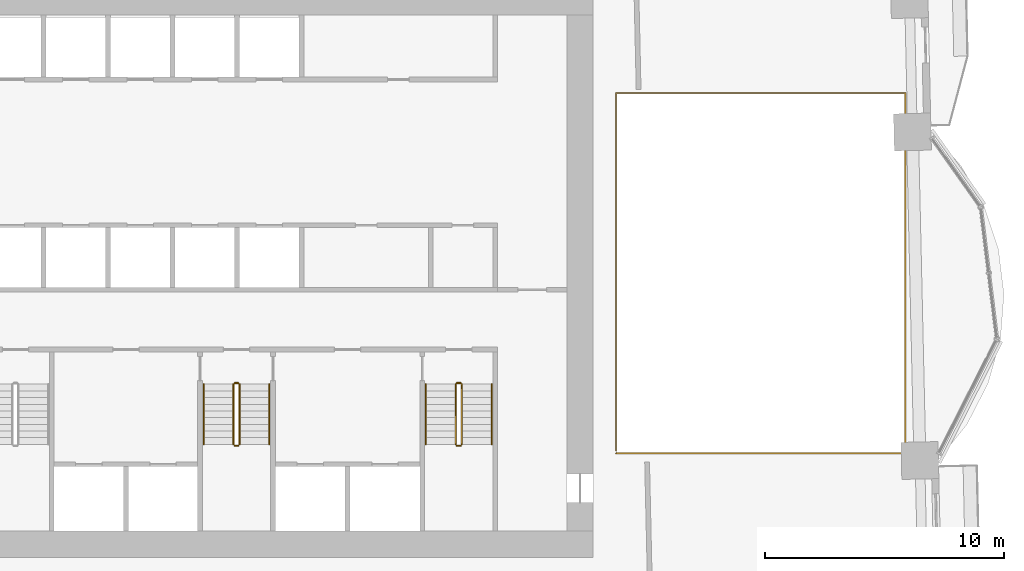
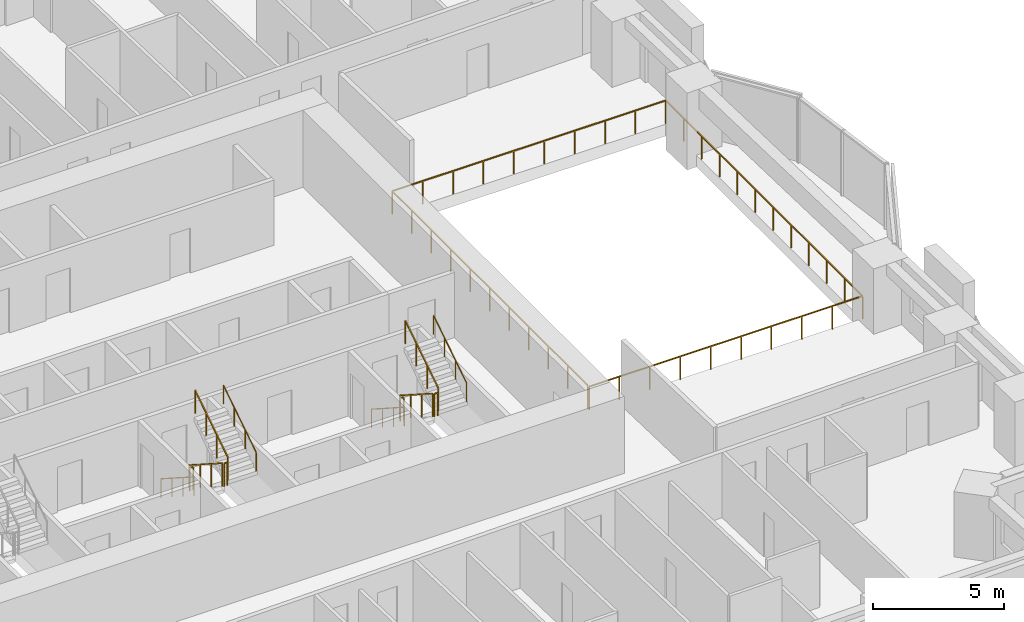
# One storey, part 15 of 16: 13 railings.
"""IFC4 building model written with IfcOpenShell, lengths in metres."""

import ifcopenshell
import ifcopenshell.guid

model = None  # the IFC model being written
_history = None  # IfcOwnerHistory: only IFC2X3 demands one
_inside = {}  # id of a spatial element -> (the spatial element, [elements in it])
_under = {}  # id of a project, library or spatial element -> (it, [spatial elements below it])
_declared = {}  # id of a project -> (the project, [libraries it declares])
_typed = {}  # id of a type object -> (the type object, [elements of that type])
_made_of = {}  # id of a material, layer set ... -> (it, [elements and type objects made of it])


def new_model(schema):
    """Start an empty IFC model of exactly this schema.

    Asked for "IFC4X3", IfcOpenShell would pick the latest addendum, in which some entities
    have other attributes; the version numbers below select the first issue.
    IFC2X3 requires an IfcOwnerHistory on every rooted entity: one is made here for all.
    """
    global model, _history
    if schema == "IFC4X3":
        model = ifcopenshell.file(schema_version=(4, 3, 0, 0))
    else:
        model = ifcopenshell.file(schema=schema)
    _inside.clear()
    _under.clear()
    _declared.clear()
    _typed.clear()
    _made_of.clear()
    _history = None
    if model.schema == "IFC2X3":
        org = make("IfcOrganization", Name="unknown")
        user = make(
            "IfcPersonAndOrganization",
            ThePerson=make("IfcPerson", FamilyName="unknown"),
            TheOrganization=org,
        )
        app = make(
            "IfcApplication",
            ApplicationDeveloper=org,
            Version="unknown",
            ApplicationFullName="unknown",
            ApplicationIdentifier="unknown",
        )
        _history = make(
            "IfcOwnerHistory",
            OwningUser=user,
            OwningApplication=app,
            ChangeAction="ADDED",
            CreationDate=0,
        )
    return model


def make(cls, **values):
    """One entity of the class cls with the attributes given. An attribute that is None is left unset."""
    return model.create_entity(
        cls, **{name: value for name, value in values.items() if value is not None}
    )


def rooted(cls, **values):
    """An entity with a GlobalId (a new one), such as an element, a storey or a relation."""
    return make(cls, GlobalId=ifcopenshell.guid.new(), OwnerHistory=_history, **values)


def si_unit(unit_type, name, prefix=None):
    """IfcSIUnit, for example si_unit("LENGTHUNIT", "METRE", prefix="MILLI")."""
    return make("IfcSIUnit", UnitType=unit_type, Prefix=prefix, Name=name)


def assignment(units):
    """IfcUnitAssignment: the units of a project."""
    return None if units is None else make("IfcUnitAssignment", Units=units)


def point(xyz):
    """IfcCartesianPoint."""
    return None if xyz is None else make("IfcCartesianPoint", Coordinates=xyz)


def direction(xyz):
    """IfcDirection."""
    return None if xyz is None else make("IfcDirection", DirectionRatios=xyz)


def frame(location, z_axis=None, x_axis=None):
    """IfcAxis2Placement3D, a coordinate frame: its origin and axes. An axis left out is left unset."""
    return make(
        "IfcAxis2Placement3D",
        Location=point(location),
        Axis=direction(z_axis),
        RefDirection=direction(x_axis),
    )


def frame_2d(location, x_axis=None):
    """IfcAxis2Placement2D, a coordinate frame in the plane: its origin and x axis."""
    return make(
        "IfcAxis2Placement2D", Location=point(location), RefDirection=direction(x_axis)
    )


def origin():
    """The frame at (0, 0, 0) with its axes left unset."""
    return frame((0.0, 0.0, 0.0))


def origin_2d():
    """The frame at (0, 0) in the plane with its x axis left unset."""
    return frame_2d((0.0, 0.0))


def place(relative_to, where):
    """IfcLocalPlacement: puts the frame where relative to a parent placement (None: the world)."""
    return make(
        "IfcLocalPlacement", PlacementRelTo=relative_to, RelativePlacement=where
    )


def context(
    kind, dimensions, precision=None, world=None, true_north=None, identifier=None
):
    """IfcGeometricRepresentationContext, for example the 3D "Model" context."""
    return make(
        "IfcGeometricRepresentationContext",
        ContextIdentifier=identifier,
        ContextType=kind,
        CoordinateSpaceDimension=dimensions,
        Precision=precision,
        WorldCoordinateSystem=world,
        TrueNorth=true_north,
    )


def subcontext(parent, identifier, kind, view, scale=None):
    """IfcGeometricRepresentationSubContext, for example "Body" below "Model"."""
    return make(
        "IfcGeometricRepresentationSubContext",
        ContextIdentifier=identifier,
        ContextType=kind,
        ParentContext=parent,
        TargetScale=scale,
        TargetView=view,
    )


def project(units=None, contexts=None):
    """IfcProject with its units and contexts."""
    return rooted(
        "IfcProject",
        Name="project",
        RepresentationContexts=contexts,
        UnitsInContext=assignment(units),
    )


def spatial(cls, under=None, at=None, **own):
    """A site, building, storey or space (cls), placed at a placement, below another one or the project."""
    s = rooted(cls, ObjectPlacement=at, **own)
    if under is not None:
        _under.setdefault(under.id(), (under, []))[1].append(s)
    return s


def profile(cls, at=None, kind="AREA", **sizes):
    """A parametric profile (cls). Its sizes go by their IFC names, for example OverallWidth=200.0."""
    return make(cls, ProfileType=kind, Position=at, **sizes)


def rectangle(**sizes):
    """IfcRectangleProfileDef."""
    return profile("IfcRectangleProfileDef", **sizes)


def circle(**sizes):
    """IfcCircleProfileDef."""
    return profile("IfcCircleProfileDef", **sizes)


def extrude(swept, where, along, depth):
    """IfcExtrudedAreaSolid: the profile swept, set in the frame where, extruded along a direction by depth."""
    return make(
        "IfcExtrudedAreaSolid",
        SweptArea=swept,
        Position=where,
        ExtrudedDirection=direction(along),
        Depth=depth,
    )


def shape(context_of_items, identifier, shape_type, items):
    """IfcShapeRepresentation: the items that make up one representation, for example the "Body"."""
    return make(
        "IfcShapeRepresentation",
        ContextOfItems=context_of_items,
        RepresentationIdentifier=identifier,
        RepresentationType=shape_type,
        Items=items,
    )


def material(Name=None, Category=None):
    """IfcMaterial."""
    return make("IfcMaterial", Name=Name, Category=Category)


def made_of(thing, what):
    """Note that an element or type object is made of a material, layer set ...; save() writes the relation."""
    if what is not None:
        _made_of.setdefault(what.id(), (what, []))[1].append(thing)
    return thing


def type_object(cls, material=None, **own):
    """A type object (cls), such as IfcWallType, which elements share."""
    return made_of(rooted(cls, **own), material)


def element(
    cls,
    number,
    at=None,
    inside=None,
    cuts=None,
    type_object=None,
    material=None,
    context=None,
    identifier="Body",
    shape_type=None,
    held_by="IfcProductDefinitionShape",
    body=None,
    shapes=None,
    **own,
):
    """One element of the class cls, such as IfcWall. Its Tag is "e" and its number.

    at: its placement. inside: the storey or other place that contains it. cuts: it is an
    opening in that element (IfcRelVoidsElement). A single representation is given by context,
    identifier, shape_type and body (its items); several are given by shapes. held_by: the class
    of the entity that holds the representations. save() writes the other relations.
    """
    e = rooted(cls, Tag="e%d" % number, ObjectPlacement=at, **own)
    if body is not None:
        shapes = [shape(context, identifier, shape_type, body)]
    if shapes is not None:
        e.Representation = make(held_by, Representations=shapes)
    if inside is not None:
        _inside.setdefault(inside.id(), (inside, []))[1].append(e)
    if cuts is not None:
        rooted(
            "IfcRelVoidsElement", RelatingBuildingElement=cuts, RelatedOpeningElement=e
        )
    if type_object is not None:
        _typed.setdefault(type_object.id(), (type_object, []))[1].append(e)
    return made_of(e, material)


def aggregate(whole, parts):
    """IfcRelAggregates: a whole, such as a stair, and the parts it consists of."""
    return rooted("IfcRelAggregates", RelatingObject=whole, RelatedObjects=parts)


def save(model, path):
    """Write the relations noted so far, then the file.

    IfcRelAggregates (storeys below a building ...), IfcRelContainedInSpatialStructure (elements
    in a storey), IfcRelDefinesByType, IfcRelAssociatesMaterial and IfcRelDeclares: one each for
    every whole, place, type object, material and project.
    """
    for whole, parts in _under.values():
        aggregate(whole, parts)
    for where, things in _inside.values():
        rooted(
            "IfcRelContainedInSpatialStructure",
            RelatedElements=things,
            RelatingStructure=where,
        )
    for kind, things in _typed.values():
        rooted("IfcRelDefinesByType", RelatedObjects=things, RelatingType=kind)
    for what, things in _made_of.values():
        rooted("IfcRelAssociatesMaterial", RelatedObjects=things, RelatingMaterial=what)
    for by, libraries in _declared.values():
        rooted("IfcRelDeclares", RelatingContext=by, RelatedDefinitions=libraries)
    model.write(path)


model = new_model("IFC4")

# Units and contexts
model_context = context("Model", 3, precision=1e-05, world=origin(), true_north=direction((0.0, 1.0)))
body_context = subcontext(model_context, "Body", "Model", "MODEL_VIEW")
ifc_project = project(units=[si_unit("LENGTHUNIT", "METRE"), si_unit("AREAUNIT", "SQUARE_METRE"), si_unit("VOLUMEUNIT", "CUBIC_METRE"), si_unit("PLANEANGLEUNIT", "RADIAN"), si_unit("MASSUNIT", "GRAM", prefix="KILO")], contexts=[model_context])

# Site, building, storey
site_placement = place(None, origin())
site = spatial("IfcSite", under=ifc_project, at=site_placement, CompositionType="ELEMENT")
building_placement = place(site_placement, origin())
building = spatial("IfcBuilding", under=site, at=building_placement, Name="Mangrove Gate Tower", CompositionType="ELEMENT")
storey_placement = place(building_placement, frame((0.0, 0.0, 37.699951171875)))
storey = spatial("IfcBuildingStorey", under=building, at=storey_placement, Name="L08", CompositionType="ELEMENT", Elevation=37.699951171875)

# Railings
ifc_material_1 = material(Name="Stainless steel grade 316 with laminated glass infill", Category="steel")
railing_type_1 = type_object("IfcRailingType", Name="Balcony guard 1100", PredefinedType="GUARDRAIL", material=ifc_material_1)
railing_1_placement = place(storey_placement, frame((15.860107421875, -7.5400390625, 0.0)))
element("IfcRailing", 1, at=railing_1_placement, inside=storey, type_object=railing_type_1, Name="GUARD L08 atrium", PredefinedType="GUARDRAIL", context=body_context, shape_type="SweptSolid", body=[
    extrude(rectangle(XDim=0.048095703125, YDim=0.048095703125, at=origin_2d()), frame((0.0, 0.0, 1.076171875), z_axis=(1.0, 0.0, 0.0), x_axis=(0.0, 1.0, 0.0)), (0.0, 0.0, 1.0), 12.101806640625),
    extrude(rectangle(XDim=0.048095703125, YDim=0.048095703125, at=origin_2d()), frame((12.101806640625, 0.0, 1.076171875), z_axis=(0.0, 1.0, 0.0), x_axis=(-1.0, 0.0, 0.0)), (0.0, 0.0, 1.0), 15.080078125),
    extrude(rectangle(XDim=0.048095703125, YDim=0.048095703125, at=origin_2d()), frame((12.101806640625, 15.080078125, 1.076171875), z_axis=(-1.0, 0.0, 0.0), x_axis=(0.0, -1.0, 0.0)), (0.0, 0.0, 1.0), 12.101806640625),
    extrude(rectangle(XDim=0.048095703125, YDim=0.048095703125, at=origin_2d()), frame((0.0, 15.080078125, 1.076171875), z_axis=(0.0, -1.0, 0.0), x_axis=(1.0, 0.0, 0.0)), (0.0, 0.0, 1.0), 14.9599609375),
    extrude(rectangle(XDim=0.0419921875, YDim=0.0419921875, at=origin_2d()), origin(), (0.0, 0.0, 1.0), 1.052001953125),
    extrude(rectangle(XDim=0.0419921875, YDim=0.0419921875, at=origin_2d()), frame((1.3447265625, 0.0, 0.0)), (0.0, 0.0, 1.0), 1.052001953125),
    extrude(rectangle(XDim=0.0419921875, YDim=0.0419921875, at=origin_2d()), frame((2.689208984375, 0.0, 0.0)), (0.0, 0.0, 1.0), 1.052001953125),
    extrude(rectangle(XDim=0.0419921875, YDim=0.0419921875, at=origin_2d()), frame((4.033935546875, 0.0, 0.0)), (0.0, 0.0, 1.0), 1.052001953125),
    extrude(rectangle(XDim=0.0419921875, YDim=0.0419921875, at=origin_2d()), frame((5.378662109375, 0.0, 0.0)), (0.0, 0.0, 1.0), 1.052001953125),
    extrude(rectangle(XDim=0.0419921875, YDim=0.0419921875, at=origin_2d()), frame((6.72314453125, 0.0, 0.0)), (0.0, 0.0, 1.0), 1.052001953125),
    extrude(rectangle(XDim=0.0419921875, YDim=0.0419921875, at=origin_2d()), frame((8.06787109375, 0.0, 0.0)), (0.0, 0.0, 1.0), 1.052001953125),
    extrude(rectangle(XDim=0.0419921875, YDim=0.0419921875, at=origin_2d()), frame((9.41259765625, 0.0, 0.0)), (0.0, 0.0, 1.0), 1.052001953125),
    extrude(rectangle(XDim=0.0419921875, YDim=0.0419921875, at=origin_2d()), frame((10.757080078125, 0.0, 0.0)), (0.0, 0.0, 1.0), 1.052001953125),
    extrude(rectangle(XDim=0.0419921875, YDim=0.0419921875, at=origin_2d()), frame((12.101806640625, 0.0, 0.0)), (0.0, 0.0, 1.0), 1.052001953125),
    extrude(rectangle(XDim=0.0419921875, YDim=0.0419921875, at=origin_2d()), frame((12.101806640625, 1.370849609375, 0.0)), (0.0, 0.0, 1.0), 1.052001953125),
    extrude(rectangle(XDim=0.0419921875, YDim=0.0419921875, at=origin_2d()), frame((12.101806640625, 2.741943359375, 0.0)), (0.0, 0.0, 1.0), 1.052001953125),
    extrude(rectangle(XDim=0.0419921875, YDim=0.0419921875, at=origin_2d()), frame((12.101806640625, 4.11279296875, 0.0)), (0.0, 0.0, 1.0), 1.052001953125),
    extrude(rectangle(XDim=0.0419921875, YDim=0.0419921875, at=origin_2d()), frame((12.101806640625, 5.483642578125, 0.0)), (0.0, 0.0, 1.0), 1.052001953125),
    extrude(rectangle(XDim=0.0419921875, YDim=0.0419921875, at=origin_2d()), frame((12.101806640625, 6.8544921875, 0.0)), (0.0, 0.0, 1.0), 1.052001953125),
    extrude(rectangle(XDim=0.0419921875, YDim=0.0419921875, at=origin_2d()), frame((12.101806640625, 8.2255859375, 0.0)), (0.0, 0.0, 1.0), 1.052001953125),
    extrude(rectangle(XDim=0.0419921875, YDim=0.0419921875, at=origin_2d()), frame((12.101806640625, 9.596435546875, 0.0)), (0.0, 0.0, 1.0), 1.052001953125),
    extrude(rectangle(XDim=0.0419921875, YDim=0.0419921875, at=origin_2d()), frame((12.101806640625, 10.96728515625, 0.0)), (0.0, 0.0, 1.0), 1.052001953125),
    extrude(rectangle(XDim=0.0419921875, YDim=0.0419921875, at=origin_2d()), frame((12.101806640625, 12.338134765625, 0.0)), (0.0, 0.0, 1.0), 1.052001953125),
    extrude(rectangle(XDim=0.0419921875, YDim=0.0419921875, at=origin_2d()), frame((12.101806640625, 13.709228515625, 0.0)), (0.0, 0.0, 1.0), 1.052001953125),
    extrude(rectangle(XDim=0.0419921875, YDim=0.0419921875, at=origin_2d()), frame((12.101806640625, 15.080078125, 0.0)), (0.0, 0.0, 1.0), 1.052001953125),
    extrude(rectangle(XDim=0.0419921875, YDim=0.0419921875, at=origin_2d()), frame((10.757080078125, 15.080078125, 0.0)), (0.0, 0.0, 1.0), 1.052001953125),
    extrude(rectangle(XDim=0.0419921875, YDim=0.0419921875, at=origin_2d()), frame((9.41259765625, 15.080078125, 0.0)), (0.0, 0.0, 1.0), 1.052001953125),
    extrude(rectangle(XDim=0.0419921875, YDim=0.0419921875, at=origin_2d()), frame((8.06787109375, 15.080078125, 0.0)), (0.0, 0.0, 1.0), 1.052001953125),
    extrude(rectangle(XDim=0.0419921875, YDim=0.0419921875, at=origin_2d()), frame((6.72314453125, 15.080078125, 0.0)), (0.0, 0.0, 1.0), 1.052001953125),
    extrude(rectangle(XDim=0.0419921875, YDim=0.0419921875, at=origin_2d()), frame((5.378662109375, 15.080078125, 0.0)), (0.0, 0.0, 1.0), 1.052001953125),
    extrude(rectangle(XDim=0.0419921875, YDim=0.0419921875, at=origin_2d()), frame((4.033935546875, 15.080078125, 0.0)), (0.0, 0.0, 1.0), 1.052001953125),
    extrude(rectangle(XDim=0.0419921875, YDim=0.0419921875, at=origin_2d()), frame((2.689208984375, 15.080078125, 0.0)), (0.0, 0.0, 1.0), 1.052001953125),
    extrude(rectangle(XDim=0.0419921875, YDim=0.0419921875, at=origin_2d()), frame((1.3447265625, 15.080078125, 0.0)), (0.0, 0.0, 1.0), 1.052001953125),
    extrude(rectangle(XDim=0.0419921875, YDim=0.0419921875, at=origin_2d()), frame((0.0, 15.080078125, 0.0)), (0.0, 0.0, 1.0), 1.052001953125),
    extrude(rectangle(XDim=0.0419921875, YDim=0.0419921875, at=origin_2d()), frame((0.0, 13.583984375, 0.0)), (0.0, 0.0, 1.0), 1.052001953125),
    extrude(rectangle(XDim=0.0419921875, YDim=0.0419921875, at=origin_2d()), frame((0.0, 12.088134765625, 0.0)), (0.0, 0.0, 1.0), 1.052001953125),
    extrude(rectangle(XDim=0.0419921875, YDim=0.0419921875, at=origin_2d()), frame((0.0, 10.592041015625, 0.0)), (0.0, 0.0, 1.0), 1.052001953125),
    extrude(rectangle(XDim=0.0419921875, YDim=0.0419921875, at=origin_2d()), frame((0.0, 9.09619140625, 0.0)), (0.0, 0.0, 1.0), 1.052001953125),
    extrude(rectangle(XDim=0.0419921875, YDim=0.0419921875, at=origin_2d()), frame((0.0, 7.60009765625, 0.0)), (0.0, 0.0, 1.0), 1.052001953125),
    extrude(rectangle(XDim=0.0419921875, YDim=0.0419921875, at=origin_2d()), frame((0.0, 6.10400390625, 0.0)), (0.0, 0.0, 1.0), 1.052001953125),
    extrude(rectangle(XDim=0.0419921875, YDim=0.0419921875, at=origin_2d()), frame((0.0, 4.608154296875, 0.0)), (0.0, 0.0, 1.0), 1.052001953125),
    extrude(rectangle(XDim=0.0419921875, YDim=0.0419921875, at=origin_2d()), frame((0.0, 3.112060546875, 0.0)), (0.0, 0.0, 1.0), 1.052001953125),
    extrude(rectangle(XDim=0.0419921875, YDim=0.0419921875, at=origin_2d()), frame((0.0, 1.6162109375, 0.0)), (0.0, 0.0, 1.0), 1.052001953125),
    extrude(rectangle(XDim=0.0419921875, YDim=0.0419921875, at=origin_2d()), frame((0.0, 0.1201171875, 0.0)), (0.0, 0.0, 1.0), 1.052001953125),
])
ifc_material_2 = material(Name="Stainless steel 316", Category="steel")
railing_type_2 = type_object("IfcRailingType", Name="Core stair guard 1100", PredefinedType="GUARDRAIL", material=ifc_material_2)
railing_2_placement = place(storey_placement, frame((-0.14990234375, -4.64990234375, 0.179931640625)))
element("IfcRailing", 2, at=railing_2_placement, inside=storey, type_object=railing_type_2, Name="L08 ST2 stair guard 1", PredefinedType="GUARDRAIL", context=body_context, shape_type="SweptSolid", body=[
    extrude(rectangle(XDim=0.048095703125, YDim=0.048095703125, at=origin_2d()), frame((0.0, 0.0, 1.076171875), z_axis=(0.0, -0.841162588446, 0.540782303519), x_axis=(1.0, 0.0, 0.0)), (0.0, 0.0, 1.0), 2.995849609375),
    extrude(rectangle(XDim=0.0419921875, YDim=0.0419921875, at=origin_2d()), origin(), (0.0, 0.0, 1.0), 1.052001953125),
    extrude(rectangle(XDim=0.0419921875, YDim=0.0419921875, at=origin_2d()), frame((0.0, -0.840087890625, 0.5400390625)), (0.0, 0.0, 1.0), 1.052001953125),
    extrude(rectangle(XDim=0.0419921875, YDim=0.0419921875, at=origin_2d()), frame((0.0, -1.679931640625, 1.080078125)), (0.0, 0.0, 1.0), 1.052001953125),
    extrude(rectangle(XDim=0.0419921875, YDim=0.0419921875, at=origin_2d()), frame((0.0, -2.52001953125, 1.6201171875)), (0.0, 0.0, 1.0), 1.052001953125),
])
railing_3_placement = place(storey_placement, frame((-0.10009765625, -7.219970703125, 1.800048828125)))
element("IfcRailing", 3, at=railing_3_placement, inside=storey, type_object=railing_type_2, Name="L08 ST2 stair guard 2", PredefinedType="GUARDRAIL", context=body_context, shape_type="SweptSolid", body=[
    extrude(rectangle(XDim=0.048095703125, YDim=0.048095703125, at=origin_2d()), frame((0.0, 0.0, 1.076171875), z_axis=(1.0, 0.0, 0.0), x_axis=(0.0, 1.0, 0.0)), (0.0, 0.0, 1.0), 0.150146484375),
    extrude(rectangle(XDim=0.0419921875, YDim=0.0419921875, at=origin_2d()), origin(), (0.0, 0.0, 1.0), 1.052001953125),
    extrude(rectangle(XDim=0.0419921875, YDim=0.0419921875, at=origin_2d()), frame((0.150146484375, 0.0, 0.0)), (0.0, 0.0, 1.0), 1.052001953125),
])
railing_4_placement = place(storey_placement, frame((0.10009765625, -7.169921875, 1.97998046875)))
element("IfcRailing", 4, at=railing_4_placement, inside=storey, type_object=railing_type_2, Name="L08 ST2 stair guard 3", PredefinedType="GUARDRAIL", context=body_context, shape_type="SweptSolid", body=[
    extrude(rectangle(XDim=0.048095703125, YDim=0.048095703125, at=origin_2d()), frame((0.0, 0.0, 1.076171875), z_axis=(0.0, 0.841162588446, 0.540782303519), x_axis=(-1.0, 0.0, 0.0)), (0.0, 0.0, 1.0), 2.995849609375),
    extrude(rectangle(XDim=0.0419921875, YDim=0.0419921875, at=origin_2d()), origin(), (0.0, 0.0, 1.0), 1.052001953125),
    extrude(rectangle(XDim=0.0419921875, YDim=0.0419921875, at=origin_2d()), frame((0.0, 0.840087890625, 0.5400390625)), (0.0, 0.0, 1.0), 1.052001953125),
    extrude(rectangle(XDim=0.0419921875, YDim=0.0419921875, at=origin_2d()), frame((0.0, 1.679931640625, 1.080078125)), (0.0, 0.0, 1.0), 1.052001953125),
    extrude(rectangle(XDim=0.0419921875, YDim=0.0419921875, at=origin_2d()), frame((0.0, 2.52001953125, 1.6201171875)), (0.0, 0.0, 1.0), 1.052001953125),
])
railing_5_placement = place(storey_placement, frame((-0.10009765625, -4.60009765625, 0.0)))
element("IfcRailing", 5, at=railing_5_placement, inside=storey, type_object=railing_type_2, Name="L08 ST2 stair guard 4", PredefinedType="GUARDRAIL", context=body_context, shape_type="SweptSolid", body=[
    extrude(rectangle(XDim=0.048095703125, YDim=0.048095703125, at=origin_2d()), frame((0.0, 0.0, 1.076171875), z_axis=(1.0, 0.0, 0.0), x_axis=(0.0, 1.0, 0.0)), (0.0, 0.0, 1.0), 0.150146484375),
    extrude(rectangle(XDim=0.0419921875, YDim=0.0419921875, at=origin_2d()), origin(), (0.0, 0.0, 1.0), 1.052001953125),
    extrude(rectangle(XDim=0.0419921875, YDim=0.0419921875, at=origin_2d()), frame((0.150146484375, 0.0, 0.0)), (0.0, 0.0, 1.0), 1.052001953125),
])
railing_6_placement = place(storey_placement, frame((9.14990234375, -4.64990234375, 0.179931640625)))
element("IfcRailing", 6, at=railing_6_placement, inside=storey, type_object=railing_type_2, Name="L08 ST3 stair guard 1", PredefinedType="GUARDRAIL", context=body_context, shape_type="SweptSolid", body=[
    extrude(rectangle(XDim=0.048095703125, YDim=0.048095703125, at=origin_2d()), frame((0.0, 0.0, 1.076171875), z_axis=(0.0, -0.841162588446, 0.540782303519), x_axis=(1.0, 0.0, 0.0)), (0.0, 0.0, 1.0), 2.995849609375),
    extrude(rectangle(XDim=0.0419921875, YDim=0.0419921875, at=origin_2d()), origin(), (0.0, 0.0, 1.0), 1.052001953125),
    extrude(rectangle(XDim=0.0419921875, YDim=0.0419921875, at=origin_2d()), frame((0.0, -0.840087890625, 0.5400390625)), (0.0, 0.0, 1.0), 1.052001953125),
    extrude(rectangle(XDim=0.0419921875, YDim=0.0419921875, at=origin_2d()), frame((0.0, -1.679931640625, 1.080078125)), (0.0, 0.0, 1.0), 1.052001953125),
    extrude(rectangle(XDim=0.0419921875, YDim=0.0419921875, at=origin_2d()), frame((0.0, -2.52001953125, 1.6201171875)), (0.0, 0.0, 1.0), 1.052001953125),
])
railing_7_placement = place(storey_placement, frame((9.199951171875, -7.219970703125, 1.800048828125)))
element("IfcRailing", 7, at=railing_7_placement, inside=storey, type_object=railing_type_2, Name="L08 ST3 stair guard 2", PredefinedType="GUARDRAIL", context=body_context, shape_type="SweptSolid", body=[
    extrude(rectangle(XDim=0.048095703125, YDim=0.048095703125, at=origin_2d()), frame((0.0, 0.0, 1.076171875), z_axis=(1.0, 0.0, 0.0), x_axis=(0.0, 1.0, 0.0)), (0.0, 0.0, 1.0), 0.150146484375),
    extrude(rectangle(XDim=0.0419921875, YDim=0.0419921875, at=origin_2d()), origin(), (0.0, 0.0, 1.0), 1.052001953125),
    extrude(rectangle(XDim=0.0419921875, YDim=0.0419921875, at=origin_2d()), frame((0.150146484375, 0.0, 0.0)), (0.0, 0.0, 1.0), 1.052001953125),
])
railing_8_placement = place(storey_placement, frame((9.39990234375, -7.169921875, 1.97998046875)))
element("IfcRailing", 8, at=railing_8_placement, inside=storey, type_object=railing_type_2, Name="L08 ST3 stair guard 3", PredefinedType="GUARDRAIL", context=body_context, shape_type="SweptSolid", body=[
    extrude(rectangle(XDim=0.048095703125, YDim=0.048095703125, at=origin_2d()), frame((0.0, 0.0, 1.076171875), z_axis=(0.0, 0.841162588446, 0.540782303519), x_axis=(-1.0, 0.0, 0.0)), (0.0, 0.0, 1.0), 2.995849609375),
    extrude(rectangle(XDim=0.0419921875, YDim=0.0419921875, at=origin_2d()), origin(), (0.0, 0.0, 1.0), 1.052001953125),
    extrude(rectangle(XDim=0.0419921875, YDim=0.0419921875, at=origin_2d()), frame((0.0, 0.840087890625, 0.5400390625)), (0.0, 0.0, 1.0), 1.052001953125),
    extrude(rectangle(XDim=0.0419921875, YDim=0.0419921875, at=origin_2d()), frame((0.0, 1.679931640625, 1.080078125)), (0.0, 0.0, 1.0), 1.052001953125),
    extrude(rectangle(XDim=0.0419921875, YDim=0.0419921875, at=origin_2d()), frame((0.0, 2.52001953125, 1.6201171875)), (0.0, 0.0, 1.0), 1.052001953125),
])
railing_9_placement = place(storey_placement, frame((9.199951171875, -4.60009765625, 0.0)))
element("IfcRailing", 9, at=railing_9_placement, inside=storey, type_object=railing_type_2, Name="L08 ST3 stair guard 4", PredefinedType="GUARDRAIL", context=body_context, shape_type="SweptSolid", body=[
    extrude(rectangle(XDim=0.048095703125, YDim=0.048095703125, at=origin_2d()), frame((0.0, 0.0, 1.076171875), z_axis=(1.0, 0.0, 0.0), x_axis=(0.0, 1.0, 0.0)), (0.0, 0.0, 1.0), 0.150146484375),
    extrude(rectangle(XDim=0.0419921875, YDim=0.0419921875, at=origin_2d()), origin(), (0.0, 0.0, 1.0), 1.052001953125),
    extrude(rectangle(XDim=0.0419921875, YDim=0.0419921875, at=origin_2d()), frame((0.150146484375, 0.0, 0.0)), (0.0, 0.0, 1.0), 1.052001953125),
])
ifc_material_3 = material(Name="Stainless steel 316", Category="steel")
railing_type_3 = type_object("IfcRailingType", Name="Core stair handrail 900", PredefinedType="HANDRAIL", material=ifc_material_3)
railing_10_placement = place(storey_placement, frame((-1.39990234375, -4.64990234375, 0.179931640625)))
element("IfcRailing", 10, at=railing_10_placement, inside=storey, type_object=railing_type_3, Name="L08 ST2 stair handrail 1", PredefinedType="HANDRAIL", context=body_context, shape_type="SweptSolid", body=[
    extrude(circle(Radius=0.02392578125, at=origin_2d()), frame((0.0, 0.0, 0.8759765625), z_axis=(0.0, -0.841162588446, 0.540782303519), x_axis=(1.0, 0.0, 0.0)), (0.0, 0.0, 1.0), 2.995849609375),
    extrude(circle(Radius=0.02099609375, at=origin_2d()), origin(), (0.0, 0.0, 1.0), 0.851806640625),
    extrude(circle(Radius=0.02099609375, at=origin_2d()), frame((0.0, -0.840087890625, 0.5400390625)), (0.0, 0.0, 1.0), 0.851806640625),
    extrude(circle(Radius=0.02099609375, at=origin_2d()), frame((0.0, -1.679931640625, 1.080078125)), (0.0, 0.0, 1.0), 0.851806640625),
    extrude(circle(Radius=0.02099609375, at=origin_2d()), frame((0.0, -2.52001953125, 1.6201171875)), (0.0, 0.0, 1.0), 0.851806640625),
])
railing_11_placement = place(storey_placement, frame((1.35009765625, -7.169921875, 1.97998046875)))
element("IfcRailing", 11, at=railing_11_placement, inside=storey, type_object=railing_type_3, Name="L08 ST2 stair handrail 2", PredefinedType="HANDRAIL", context=body_context, shape_type="SweptSolid", body=[
    extrude(circle(Radius=0.02392578125, at=origin_2d()), frame((0.0, 0.0, 0.8759765625), z_axis=(0.0, 0.841162588446, 0.540782303519), x_axis=(-1.0, 0.0, 0.0)), (0.0, 0.0, 1.0), 2.995849609375),
    extrude(circle(Radius=0.02099609375, at=origin_2d()), origin(), (0.0, 0.0, 1.0), 0.851806640625),
    extrude(circle(Radius=0.02099609375, at=origin_2d()), frame((0.0, 0.840087890625, 0.5400390625)), (0.0, 0.0, 1.0), 0.851806640625),
    extrude(circle(Radius=0.02099609375, at=origin_2d()), frame((0.0, 1.679931640625, 1.080078125)), (0.0, 0.0, 1.0), 0.851806640625),
    extrude(circle(Radius=0.02099609375, at=origin_2d()), frame((0.0, 2.52001953125, 1.6201171875)), (0.0, 0.0, 1.0), 0.851806640625),
])
railing_12_placement = place(storey_placement, frame((7.89990234375, -4.64990234375, 0.179931640625)))
element("IfcRailing", 12, at=railing_12_placement, inside=storey, type_object=railing_type_3, Name="L08 ST3 stair handrail 1", PredefinedType="HANDRAIL", context=body_context, shape_type="SweptSolid", body=[
    extrude(circle(Radius=0.02392578125, at=origin_2d()), frame((0.0, 0.0, 0.8759765625), z_axis=(0.0, -0.841162588446, 0.540782303519), x_axis=(1.0, 0.0, 0.0)), (0.0, 0.0, 1.0), 2.995849609375),
    extrude(circle(Radius=0.02099609375, at=origin_2d()), origin(), (0.0, 0.0, 1.0), 0.851806640625),
    extrude(circle(Radius=0.02099609375, at=origin_2d()), frame((0.0, -0.840087890625, 0.5400390625)), (0.0, 0.0, 1.0), 0.851806640625),
    extrude(circle(Radius=0.02099609375, at=origin_2d()), frame((0.0, -1.679931640625, 1.080078125)), (0.0, 0.0, 1.0), 0.851806640625),
    extrude(circle(Radius=0.02099609375, at=origin_2d()), frame((0.0, -2.52001953125, 1.6201171875)), (0.0, 0.0, 1.0), 0.851806640625),
])
railing_13_placement = place(storey_placement, frame((10.64990234375, -7.169921875, 1.97998046875)))
element("IfcRailing", 13, at=railing_13_placement, inside=storey, type_object=railing_type_3, Name="L08 ST3 stair handrail 2", PredefinedType="HANDRAIL", context=body_context, shape_type="SweptSolid", body=[
    extrude(circle(Radius=0.02392578125, at=origin_2d()), frame((0.0, 0.0, 0.8759765625), z_axis=(0.0, 0.841162588446, 0.540782303519), x_axis=(-1.0, 0.0, 0.0)), (0.0, 0.0, 1.0), 2.995849609375),
    extrude(circle(Radius=0.02099609375, at=origin_2d()), origin(), (0.0, 0.0, 1.0), 0.851806640625),
    extrude(circle(Radius=0.02099609375, at=origin_2d()), frame((0.0, 0.840087890625, 0.5400390625)), (0.0, 0.0, 1.0), 0.851806640625),
    extrude(circle(Radius=0.02099609375, at=origin_2d()), frame((0.0, 1.679931640625, 1.080078125)), (0.0, 0.0, 1.0), 0.851806640625),
    extrude(circle(Radius=0.02099609375, at=origin_2d()), frame((0.0, 2.52001953125, 1.6201171875)), (0.0, 0.0, 1.0), 0.851806640625),
])

save(model, "model.ifc")
